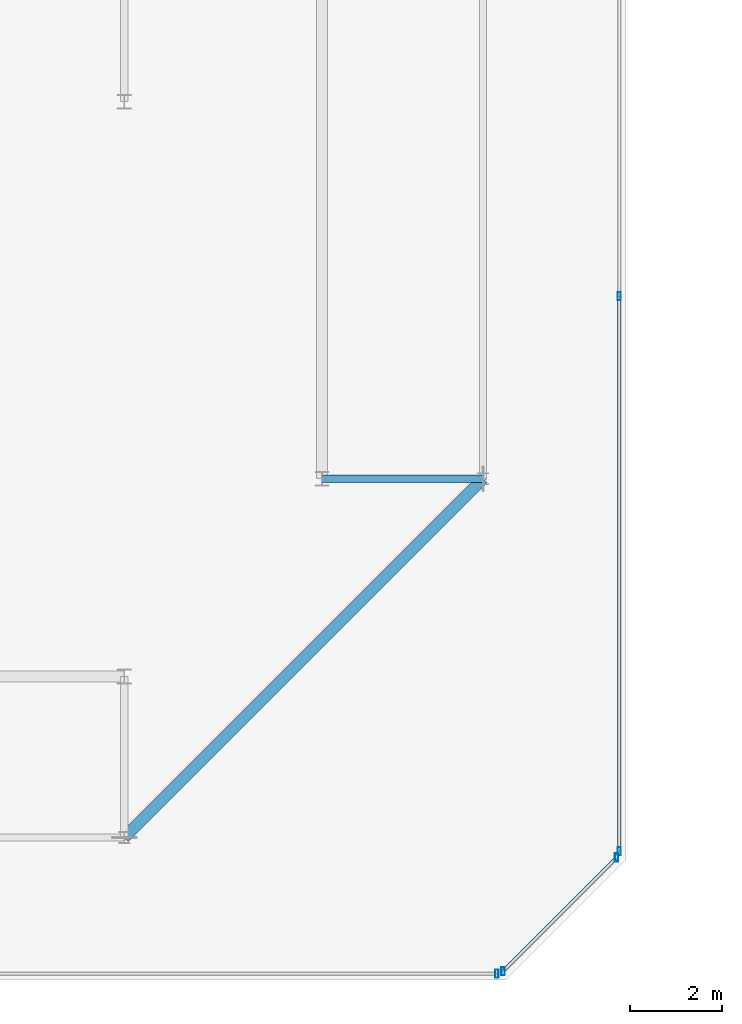
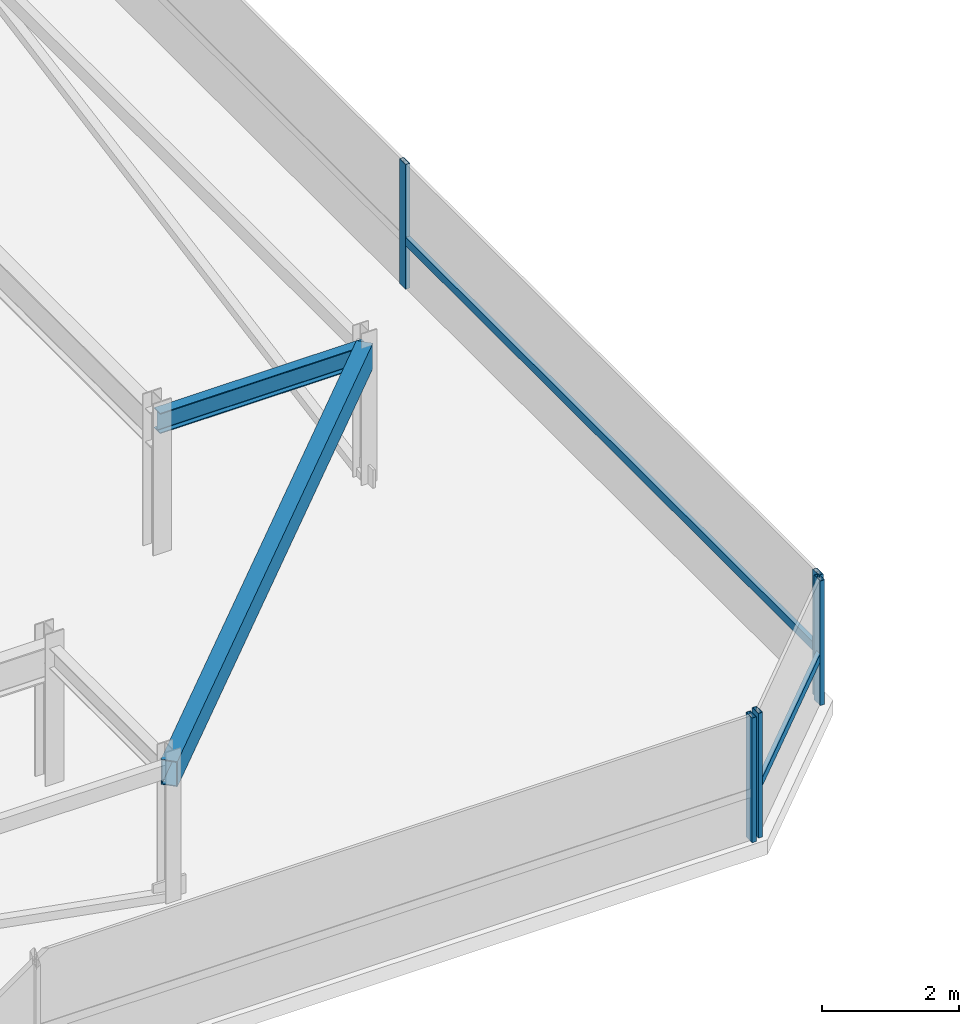
# One storey, part 18 of 44: 7 members, 2 beams, 3 elements without a shape of their own.
"""IFC4 building model written with IfcOpenShell, lengths in metres."""

from ifc_helpers import new_model, si_unit, direction, frame, origin, origin_2d, place, context, subcontext, project, spatial, hollow_rectangle, i_section, extrude, material, material_profile, profile_set, type_object, element, aggregate, save


model = new_model("IFC4")

# Units and contexts
model_context = context("Model", 3, precision=1e-05, world=origin(), true_north=direction((0.0, 1.0)))
body_context = subcontext(model_context, "Body", "Model", "MODEL_VIEW")
ifc_project = project(units=[si_unit("LENGTHUNIT", "METRE"), si_unit("AREAUNIT", "SQUARE_METRE"), si_unit("VOLUMEUNIT", "CUBIC_METRE"), si_unit("PLANEANGLEUNIT", "RADIAN"), si_unit("MASSUNIT", "GRAM", prefix="KILO")], contexts=[model_context])

# Site, building, storey
site_placement = place(None, origin())
site = spatial("IfcSite", under=ifc_project, at=site_placement, CompositionType="ELEMENT")
building_placement = place(site_placement, origin())
building = spatial("IfcBuilding", under=site, at=building_placement, Name="Thornwick Lancets Civic Towers", CompositionType="ELEMENT")
storey_placement = place(building_placement, frame((0.0, 0.0, 294.89990234375)))
storey = spatial("IfcBuildingStorey", under=building, at=storey_placement, Name="C06", CompositionType="ELEMENT", Elevation=294.89990234375)

# Beams
ifc_material_1 = material(Name="Steel S355JR", Category="steel")
ifc_material_profile_1 = material_profile(ifc_material_1, i_section(OverallWidth=0.173095703125, OverallDepth=0.36328125, WebThickness=0.009033203125, FlangeThickness=0.015625, FilletRadius=0.01025390625, at=origin_2d()), Name="UKB 356x171x67")
ifc_profile_set_1 = profile_set([ifc_material_profile_1], Name="Steel S355JR")
beam_type_1 = type_object("IfcBeamType", Name="BM_JOIST_356_67", PredefinedType="JOIST", material=ifc_profile_set_1)
beam_1_placement = place(storey_placement, frame((42.800048828125, 14.0, 2.25830078125), z_axis=(1.0, 0.0, 0.0), x_axis=(0.0, 1.0, 0.0)))
element("IfcBeam", 1, at=beam_1_placement, inside=storey, type_object=beam_type_1, Name="BM-RAD-C06-A04", PredefinedType="JOIST", context=body_context, shape_type="SweptSolid", body=[
    extrude(i_section(OverallWidth=0.173095703125, OverallDepth=0.36328125, WebThickness=0.009033203125, FlangeThickness=0.015625, FilletRadius=0.01025390625, at=origin_2d()), origin(), (0.0, 0.0, 1.0), 3.5),
])
ifc_material_profile_2 = material_profile(ifc_material_1, hollow_rectangle(XDim=0.25, YDim=0.449951171875, WallThickness=0.01611328125, at=origin_2d()), Name="RHS 450x250x16")
ifc_profile_set_2 = profile_set([ifc_material_profile_2], Name="Steel S355JR")
beam_type_2 = type_object("IfcBeamType", Name="BM_RING_RHS450", PredefinedType="BEAM", material=ifc_profile_set_2)
beam_2_placement = place(storey_placement, frame((38.5, 6.199951171875, 2.215087890625), z_axis=(0.707106781187, 0.707106781187, 0.0), x_axis=(-0.707106781187, 0.707106781187, 0.0)))
element("IfcBeam", 2, at=beam_2_placement, inside=storey, type_object=beam_type_2, Name="BM-CHAMF-C06-A-C0", PredefinedType="BEAM", context=body_context, shape_type="SweptSolid", body=[
    extrude(hollow_rectangle(XDim=0.25, YDim=0.449951171875, WallThickness=0.01611328125, at=origin_2d()), origin(), (0.0, 0.0, 1.0), 11.031005859375),
])

# Curtain wall, member
ifc_material_2 = material(Name="Crown ring acoustic-louvre and glazing screen wall", Category="glass")
curtain_wall_type = type_object("IfcCurtainWallType", Name="CW_SYS_07", PredefinedType="NOTDEFINED", material=ifc_material_2)
curtain_wall_1_placement = place(storey_placement, origin())
curtain_wall_1 = element("IfcCurtainWall", 3, at=curtain_wall_1_placement, inside=storey, type_object=curtain_wall_type, Name="C06 Curtain Wall CW-C06-A-E0", PredefinedType="NOTDEFINED")
ifc_material_3 = material(Name="Thermally broken bronze aluminium S355", Category="steel")
ifc_material_profile_3 = material_profile(ifc_material_3, hollow_rectangle(XDim=0.074951171875, YDim=0.179931640625, WallThickness=0.006103515625, at=origin_2d()), Name="RHS 180x75x6")
ifc_profile_set_3 = profile_set([ifc_material_profile_3], Name="Thermally broken bronze aluminium S355")
member_type_1 = type_object("IfcMemberType", Name="CW_MUL_180", PredefinedType="MULLION", material=ifc_profile_set_3)
member_1_placement = place(storey_placement, frame((46.601318359375, 3.2353515625, 0.0), z_axis=(0.0, 0.0, 1.0), x_axis=(1.0, 0.0, 0.0)))
member_1 = element("IfcMember", 4, at=member_1_placement, type_object=member_type_1, Name="CW-C06-A-E0 Mullion 3", PredefinedType="MULLION", context=body_context, shape_type="SweptSolid", body=[
    extrude(hollow_rectangle(XDim=0.074951171875, YDim=0.179931640625, WallThickness=0.006103515625, at=origin_2d()), origin(), (0.0, 0.0, 1.0), 2.22021484375),
])
aggregate(curtain_wall_1, [member_1])

# Curtain wall, members
curtain_wall_2_placement = place(storey_placement, origin())
curtain_wall_2 = element("IfcCurtainWall", 5, at=curtain_wall_2_placement, inside=storey, type_object=curtain_wall_type, Name="C06 Curtain Wall CW-C06-A-E1", PredefinedType="NOTDEFINED")
member_2_placement = place(storey_placement, frame((46.738037109375, 3.2919921875, 0.0), z_axis=(0.0, 0.0, 1.0), x_axis=(1.0, 0.0, 0.0)))
member_2 = element("IfcMember", 6, at=member_2_placement, type_object=member_type_1, Name="CW-C06-A-E1 Mullion 0", PredefinedType="MULLION", context=body_context, shape_type="SweptSolid", body=[
    extrude(hollow_rectangle(XDim=0.074951171875, YDim=0.179931640625, WallThickness=0.006103515625, at=origin_2d()), origin(), (0.0, 0.0, 1.0), 2.22021484375),
])
member_3_placement = place(storey_placement, frame((49.2080078125, 5.761962890625, 0.0), z_axis=(0.0, 0.0, 1.0), x_axis=(1.0, 0.0, 0.0)))
member_3 = element("IfcMember", 7, at=member_3_placement, type_object=member_type_1, Name="CW-C06-A-E1 Mullion 1", PredefinedType="MULLION", context=body_context, shape_type="SweptSolid", body=[
    extrude(hollow_rectangle(XDim=0.074951171875, YDim=0.179931640625, WallThickness=0.006103515625, at=origin_2d()), origin(), (0.0, 0.0, 1.0), 2.22021484375),
])

curtain_wall_3_placement = place(storey_placement, origin())
curtain_wall_3 = element("IfcCurtainWall", 8, at=curtain_wall_3_placement, inside=storey, type_object=curtain_wall_type, Name="C06 Curtain Wall CW-C06-A-E2", PredefinedType="NOTDEFINED")
member_4_placement = place(storey_placement, frame((49.2646484375, 5.898681640625, 0.0), z_axis=(0.0, 0.0, 1.0), x_axis=(1.0, 0.0, 0.0)))
member_4 = element("IfcMember", 9, at=member_4_placement, type_object=member_type_1, Name="CW-C06-A-E2 Mullion 0", PredefinedType="MULLION", context=body_context, shape_type="SweptSolid", body=[
    extrude(hollow_rectangle(XDim=0.074951171875, YDim=0.179931640625, WallThickness=0.006103515625, at=origin_2d()), origin(), (0.0, 0.0, 1.0), 2.22021484375),
])
member_5_placement = place(storey_placement, frame((49.2646484375, 17.96630859375, 0.0), z_axis=(0.0, 0.0, 1.0), x_axis=(1.0, 0.0, 0.0)))
member_5 = element("IfcMember", 10, at=member_5_placement, type_object=member_type_1, Name="CW-C06-A-E2 Mullion 1", PredefinedType="MULLION", context=body_context, shape_type="SweptSolid", body=[
    extrude(hollow_rectangle(XDim=0.074951171875, YDim=0.179931640625, WallThickness=0.006103515625, at=origin_2d()), origin(), (0.0, 0.0, 1.0), 2.22021484375),
])

# Member
ifc_material_profile_4 = material_profile(ifc_material_3, hollow_rectangle(XDim=0.074951171875, YDim=0.14990234375, WallThickness=0.0048828125, at=origin_2d()), Name="RHS 150x75x5")
ifc_profile_set_4 = profile_set([ifc_material_profile_4], Name="Thermally broken bronze aluminium S355")
member_type_2 = type_object("IfcMemberType", Name="CW_TRN_150", PredefinedType="USERDEFINED", material=ifc_profile_set_4)
member_6_placement = place(storey_placement, frame((46.752197265625, 3.30615234375, 0.85009765625), z_axis=(0.707106781187, 0.707106781187, 0.0), x_axis=(-0.707106781187, 0.707106781187, 0.0)))
member_6 = element("IfcMember", 11, at=member_6_placement, type_object=member_type_2, Name="CW-C06-A-E1 Transom 0", ObjectType="TRANSOM", PredefinedType="USERDEFINED", context=body_context, shape_type="SweptSolid", body=[
    extrude(hollow_rectangle(XDim=0.074951171875, YDim=0.14990234375, WallThickness=0.0048828125, at=origin_2d()), origin(), (0.0, 0.0, 1.0), 3.453125),
])

aggregate(curtain_wall_2, [member_2, member_3, member_6])

member_7_placement = place(storey_placement, frame((49.2646484375, 5.918701171875, 0.85009765625), z_axis=(0.0, 1.0, 0.0), x_axis=(-1.0, 0.0, 0.0)))
member_7 = element("IfcMember", 12, at=member_7_placement, type_object=member_type_2, Name="CW-C06-A-E2 Transom 0", ObjectType="TRANSOM", PredefinedType="USERDEFINED", context=body_context, shape_type="SweptSolid", body=[
    extrude(hollow_rectangle(XDim=0.074951171875, YDim=0.14990234375, WallThickness=0.0048828125, at=origin_2d()), origin(), (0.0, 0.0, 1.0), 12.027587890625),
])

aggregate(curtain_wall_3, [member_4, member_5, member_7])

save(model, "model.ifc")
